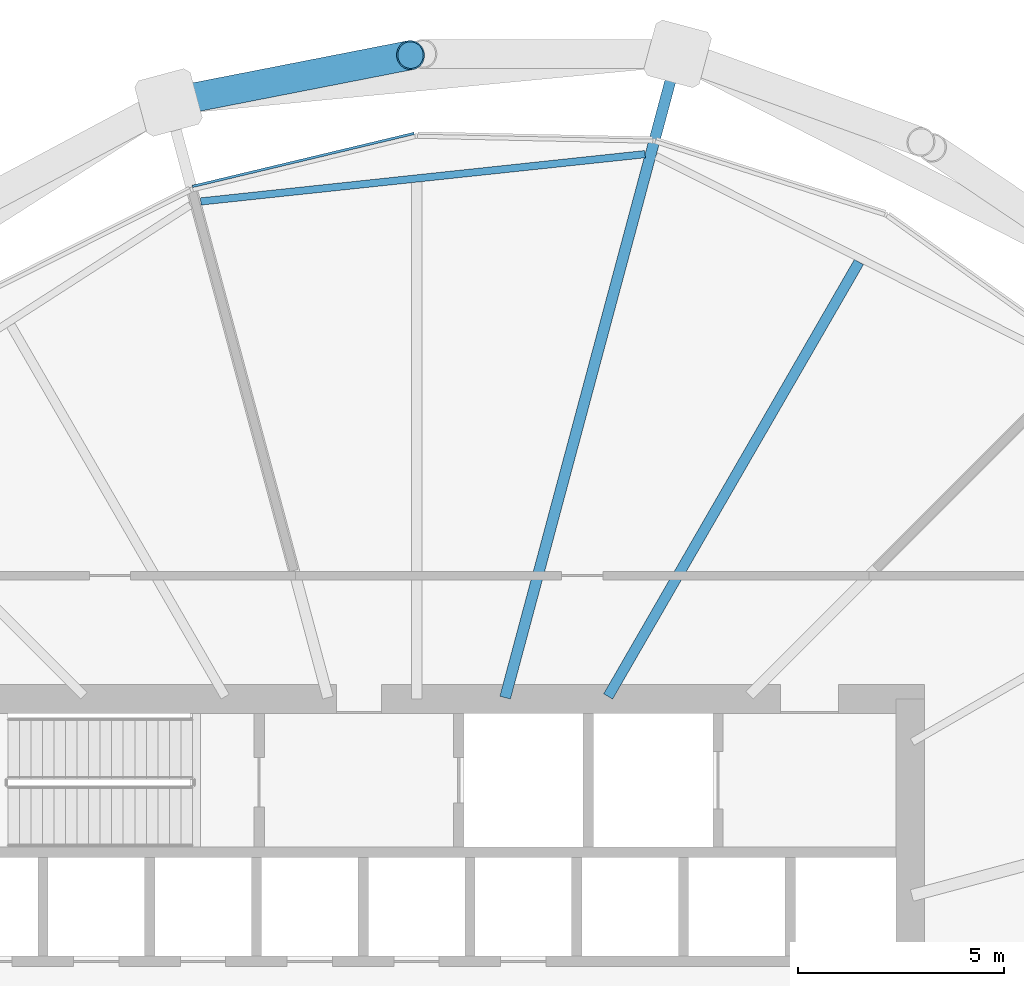
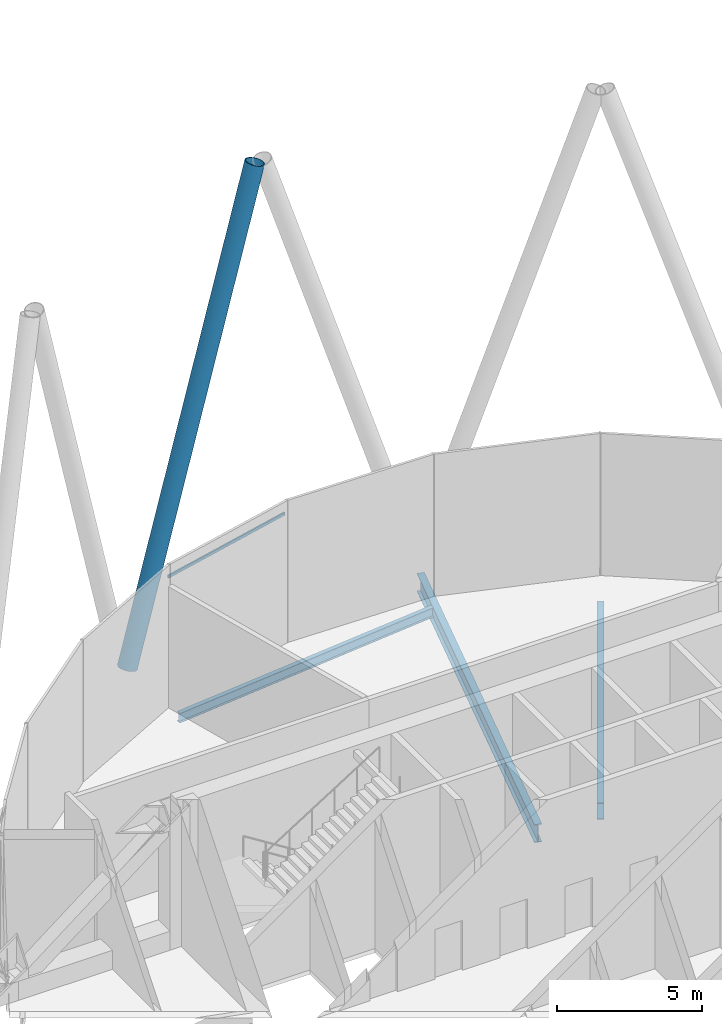
# One storey, part 27 of 39: 3 beams, 2 members, 1 element without a shape of its own.
"""IFC4 building model written with IfcOpenShell, lengths in metres."""

from ifc_helpers import new_model, si_unit, direction, frame, origin, origin_2d, place, context, subcontext, project, spatial, rectangle, hollow_circle, i_section, extrude, material, material_profile, profile_set, type_object, element, aggregate, save


model = new_model("IFC4")

# Units and contexts
model_context = context("Model", 3, precision=1e-05, world=origin(), true_north=direction((0.0, 1.0)))
body_context = subcontext(model_context, "Body", "Model", "MODEL_VIEW")
ifc_project = project(units=[si_unit("LENGTHUNIT", "METRE"), si_unit("AREAUNIT", "SQUARE_METRE"), si_unit("VOLUMEUNIT", "CUBIC_METRE"), si_unit("PLANEANGLEUNIT", "RADIAN"), si_unit("MASSUNIT", "GRAM", prefix="KILO")], contexts=[model_context])

# Site, building, storey
site_placement = place(None, origin())
site = spatial("IfcSite", under=ifc_project, at=site_placement, CompositionType="ELEMENT")
building_placement = place(site_placement, origin())
building = spatial("IfcBuilding", under=site, at=building_placement, Name="Rimbun Link Towers", CompositionType="ELEMENT")
storey_placement = place(building_placement, frame((0.0, 0.0, 127.199951171875)))
storey = spatial("IfcBuildingStorey", under=building, at=storey_placement, Name="L31", CompositionType="ELEMENT", Elevation=127.199951171875)

# Curtain wall, member
ifc_material_1 = material(Name="Aluminium 6063-T6 louvre wall", Category="aluminium")
curtain_wall_type = type_object("IfcCurtainWallType", Name="CW6 plant floor louvre wall", PredefinedType="NOTDEFINED", material=ifc_material_1)
curtain_wall_placement = place(storey_placement, origin())
curtain_wall = element("IfcCurtainWall", 1, at=curtain_wall_placement, inside=storey, type_object=curtain_wall_type, Name="CW6 L31 T2", PredefinedType="NOTDEFINED")
ifc_material_2 = material(Name="Aluminium 6063-T6", Category="aluminium")
ifc_material_profile_1 = material_profile(ifc_material_2, rectangle(XDim=0.06005859375, YDim=0.1201171875, at=origin_2d()), Name="TRANSOM 60X120")
ifc_profile_set_1 = profile_set([ifc_material_profile_1], Name="Aluminium 6063-T6")
member_type_1 = type_object("IfcMemberType", Name="CW6 transom 60X120", PredefinedType="USERDEFINED", material=ifc_profile_set_1)
member_1_placement = place(storey_placement, frame((26.302001953125, 20.46142578125, 5.400146484375), z_axis=(0.972579758351, 0.232569588826, 0.0), x_axis=(-0.232569588826, 0.972579758351, 0.0)))
member_1 = element("IfcMember", 2, at=member_1_placement, type_object=member_type_1, Name="CW6 transom", ObjectType="TRANSOM", PredefinedType="USERDEFINED", context=body_context, shape_type="SweptSolid", body=[
    extrude(rectangle(XDim=0.06005859375, YDim=0.1201171875, at=origin_2d()), origin(), (0.0, 0.0, 1.0), 5.54052734375),
])
aggregate(curtain_wall, [member_1])

# Member
ifc_material_3 = material(Name="Steel S460NH", Category="steel")
ifc_material_profile_2 = material_profile(ifc_material_3, hollow_circle(Radius=0.355712890625, WallThickness=0.031982421875, at=origin_2d()), Name="Diagrid diagonal CHS 711x32")
ifc_profile_set_2 = profile_set([ifc_material_profile_2], Name="Steel S460NH")
member_type_2 = type_object("IfcMemberType", Name="Diagrid diagonal CHS 711x32", PredefinedType="BRACE", material=ifc_profile_set_2)
member_2_placement = place(storey_placement, frame((25.86767578125, 22.530029296875, 0.47705078125), z_axis=(0.293523784795, 0.057447850955, 0.954224047161), x_axis=(-0.192073705068, 0.981380503078, 0.0)))
element("IfcMember", 3, at=member_2_placement, inside=storey, type_object=member_type_2, Name="Diagrid diagonal T2 L31-L35 04a", PredefinedType="BRACE", context=body_context, shape_type="SweptSolid", body=[
    extrude(hollow_circle(Radius=0.355712890625, WallThickness=0.031982421875, at=origin_2d()), origin(), (0.0, 0.0, 1.0), 19.54052734375),
])

# Beams
ifc_material_4 = material(Name="Steel S355J2", Category="steel")
ifc_material_profile_3 = material_profile(ifc_material_4, i_section(OverallWidth=0.177978515625, OverallDepth=0.406494140625, WebThickness=0.0078125, FlangeThickness=0.0126953125, at=origin_2d()), Name="UB 406x178x60")
ifc_profile_set_3 = profile_set([ifc_material_profile_3], Name="Steel S355J2")
beam_type_1 = type_object("IfcBeamType", Name="UB 406x178x60", PredefinedType="BEAM", material=ifc_profile_set_3)
beam_1_placement = place(storey_placement, frame((37.3037109375, 21.245361328125, -0.383056640625), z_axis=(-0.994381212598, -0.105858415023, 0.0), x_axis=(0.105858415023, -0.994381212598, 0.0)))
element("IfcBeam", 4, at=beam_1_placement, inside=storey, type_object=beam_type_1, Name="Edge beam T2 L31 02-04", PredefinedType="BEAM", context=body_context, shape_type="SweptSolid", body=[
    extrude(i_section(OverallWidth=0.177978515625, OverallDepth=0.406494140625, WebThickness=0.0078125, FlangeThickness=0.0126953125, at=origin_2d()), origin(), (0.0, 0.0, 1.0), 10.8603515625),
])
ifc_material_5 = material(Name="Steel S355J2", Category="steel")
ifc_material_profile_4 = material_profile(ifc_material_5, i_section(OverallWidth=0.253662109375, OverallDepth=0.68359375, WebThickness=0.012451171875, FlangeThickness=0.01904296875, at=origin_2d()), Name="UB 686x254x140")
ifc_profile_set_4 = profile_set([ifc_material_profile_4], Name="Steel S355J2")
beam_type_2 = type_object("IfcBeamType", Name="UB 686x254x140", PredefinedType="BEAM", material=ifc_profile_set_4)
beam_2_placement = place(storey_placement, frame((36.406005859375, 8.064208984375, -0.521728515625), z_axis=(0.499996328842, 0.866027523318, 0.0), x_axis=(-0.866027523318, 0.499996328842, 0.0)))
element("IfcBeam", 5, at=beam_2_placement, inside=storey, type_object=beam_type_2, Name="Radial beam T2 L31 01", PredefinedType="BEAM", context=body_context, shape_type="SweptSolid", body=[
    extrude(i_section(OverallWidth=0.253662109375, OverallDepth=0.68359375, WebThickness=0.012451171875, FlangeThickness=0.01904296875, at=origin_2d()), origin(), (0.0, 0.0, 1.0), 12.19189453125),
])
ifc_material_6 = material(Name="Steel S355J2", Category="steel")
ifc_material_profile_5 = material_profile(ifc_material_6, i_section(OverallWidth=0.2666015625, OverallDepth=0.76220703125, WebThickness=0.014404296875, FlangeThickness=0.021484375, at=origin_2d()), Name="UB 762x267x173")
ifc_profile_set_5 = profile_set([ifc_material_profile_5], Name="Steel S355J2")
beam_type_3 = type_object("IfcBeamType", Name="UB 762x267x173", PredefinedType="BEAM", material=ifc_profile_set_5)
beam_3_placement = place(storey_placement, frame((33.903076171875, 8.035400390625, -0.56103515625), z_axis=(0.25882107296, 0.965925282924, 0.0), x_axis=(-0.965925282924, 0.25882107296, 0.0)))
element("IfcBeam", 6, at=beam_3_placement, inside=storey, type_object=beam_type_3, Name="Radial beam T2 L31 02", PredefinedType="BEAM", context=body_context, shape_type="SweptSolid", body=[
    extrude(i_section(OverallWidth=0.2666015625, OverallDepth=0.76220703125, WebThickness=0.014404296875, FlangeThickness=0.021484375, at=origin_2d()), origin(), (0.0, 0.0, 1.0), 15.698974609375),
])

save(model, "model.ifc")
